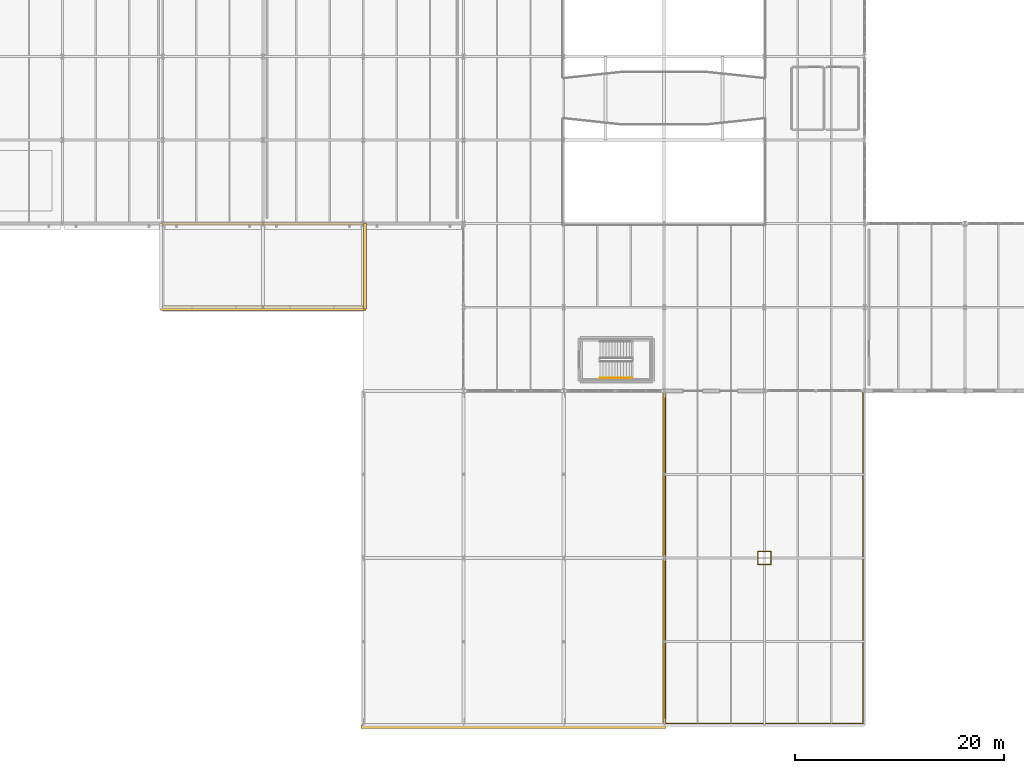
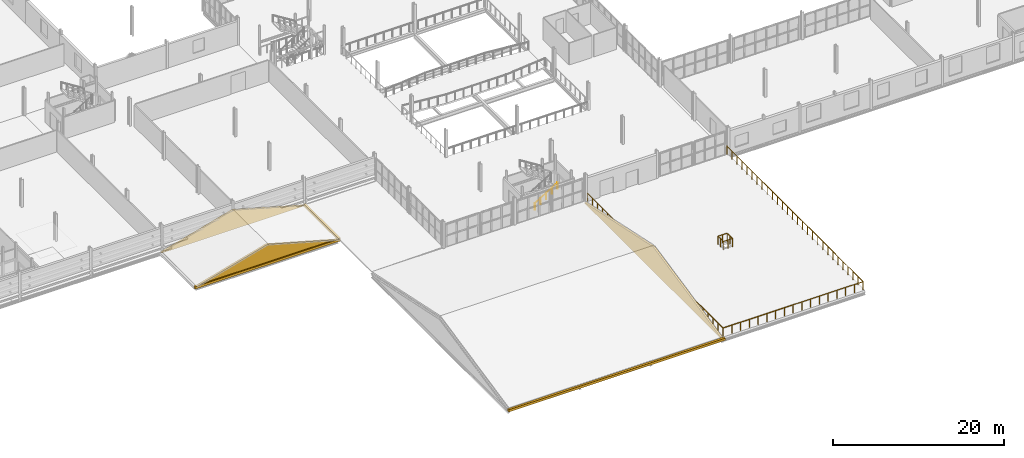
# One storey, part 80 of 85: 6 coverings, 4 railings.
"""IFC4 building model written with IfcOpenShell, lengths in metres."""

from ifc_helpers import new_model, si_unit, direction, frame, frame_2d, origin, origin_2d, place, context, subcontext, project, spatial, polyline, rectangle, circle, outline, extrude, material, layer, layer_set, type_object, element, save


model = new_model("IFC4")

# Units and contexts
model_context = context("Model", 3, precision=1e-05, world=origin(), true_north=direction((0.0, 1.0)))
body_context = subcontext(model_context, "Body", "Model", "MODEL_VIEW")
ifc_project = project(units=[si_unit("LENGTHUNIT", "METRE"), si_unit("AREAUNIT", "SQUARE_METRE"), si_unit("VOLUMEUNIT", "CUBIC_METRE"), si_unit("PLANEANGLEUNIT", "RADIAN"), si_unit("MASSUNIT", "GRAM", prefix="KILO")], contexts=[model_context])

# Site, building, storey
site_placement = place(None, origin())
site = spatial("IfcSite", under=ifc_project, at=site_placement, CompositionType="ELEMENT")
building_placement = place(site_placement, origin())
building = spatial("IfcBuilding", under=site, at=building_placement, Name="Alderhovde Museum", CompositionType="ELEMENT")
storey_placement = place(building_placement, frame((0.0, 0.0, 8.699951171875)))
storey = spatial("IfcBuildingStorey", under=building, at=storey_placement, Name="L02", CompositionType="ELEMENT", Elevation=8.699951171875)

# Coverings
ifc_material_1 = material(Name="Carved Jura Limestone Classical Cornice Moulding", Category="masonry")
ifc_layer_1 = layer(ifc_material_1, 0.280029296875)
ifc_layer_set_1 = layer_set([ifc_layer_1], Name="Carved Jura Limestone Classical Cornice Moulding")
covering_type_1 = type_object("IfcCoveringType", Name="COV-CORNICE-STONE", PredefinedType="MOLDING", material=ifc_layer_set_1)
covering_1_placement = place(storey_placement, frame((47.800048828125, 39.85009765625, -0.349853515625), z_axis=(0.0, 0.0, 1.0), x_axis=(1.0, 0.0, 0.0)))
element("IfcCovering", 1, at=covering_1_placement, inside=storey, type_object=covering_type_1, Name="L02 Classical Beaux-Arts Limestone Cornice 1", PredefinedType="MOLDING", context=body_context, shape_type="SweptSolid", body=[
    extrude(rectangle(XDim=19.599853515625, YDim=0.280029296875, at=frame_2d((9.7998046875, 0.0))), origin(), (0.0, 0.0, 1.0), 0.329833984375),
])
covering_2_placement = place(storey_placement, frame((67.35009765625, 39.85009765625, -0.349853515625), z_axis=(0.0, 0.0, 1.0), x_axis=(0.0, 1.0, 0.0)))
element("IfcCovering", 2, at=covering_2_placement, inside=storey, type_object=covering_type_1, Name="L02 Classical Beaux-Arts Limestone Cornice 3", PredefinedType="MOLDING", context=body_context, shape_type="SweptSolid", body=[
    extrude(rectangle(XDim=8.14990234375, YDim=0.280029296875, at=frame_2d((4.074951171875, 0.0))), origin(), (0.0, 0.0, 1.0), 0.329833984375),
])
covering_3_placement = place(storey_placement, frame((67.0, -0.179931640625, -0.320068359375), z_axis=(0.0, 0.0, 1.0), x_axis=(1.0, 0.0, 0.0)))
element("IfcCovering", 3, at=covering_3_placement, inside=storey, type_object=covering_type_1, Name="L02 Classical Beaux-Arts Limestone Cornice 5", PredefinedType="MOLDING", context=body_context, shape_type="SweptSolid", body=[
    extrude(rectangle(XDim=29.199951171875, YDim=0.280029296875, at=frame_2d((14.60009765625, 0.0))), origin(), (0.0, 0.0, 1.0), 0.320068359375),
])
ifc_material_2 = material(Name="Carved Jura Limestone Gable Tympanum Cladding", Category="masonry")
ifc_layer_2 = layer(ifc_material_2, 0.239990234375)
ifc_layer_set_2 = layer_set([ifc_layer_2], Name="Carved Jura Limestone Gable Tympanum Cladding")
covering_type_2 = type_object("IfcCoveringType", Name="COV-TYMP-STONE", PredefinedType="CLADDING", material=ifc_layer_set_2)
for number, where, z_axis, x_axis, name in (
    (4, (48.0, 40.0, -0.260009765625), (0.0, 0.0, 1.0), (1.0, 0.0, 0.0), "Beaux-Arts Portico Classical Pediment Tympanum 1"),
    (5, (48.0, 48.0, -0.260009765625), (0.0, 0.0, 1.0), (1.0, 0.0, 0.0), "Beaux-Arts Portico Classical Pediment Tympanum 2"),
):
    element("IfcCovering", number, at=place(storey_placement, frame(where, z_axis=z_axis, x_axis=x_axis)), inside=storey, type_object=covering_type_2, Name=name, PredefinedType="CLADDING", context=body_context, shape_type="SweptSolid", body=[
        extrude(outline(polyline([(0.0, 0.0), (19.199951171875, 0.0), (19.199951171875, 0.080078125), (9.60009765625, 2.760009765625), (0.0, 0.080078125), (0.0, 0.0)])), frame((0.0, 0.1201171875, 0.0), z_axis=(0.0, -1.0, 0.0), x_axis=(1.0, 0.0, 0.0)), (0.0, 0.0, 1.0), 0.239990234375),
    ])
covering_4_placement = place(storey_placement, frame((96.0, 0.0, -0.260009765625), z_axis=(0.0, 0.0, 1.0), x_axis=(0.0, 1.0, 0.0)))
element("IfcCovering", 6, at=covering_4_placement, inside=storey, type_object=covering_type_2, Name="Civic Auditorium Beaux-Arts Gable Tympanum 4", PredefinedType="CLADDING", context=body_context, shape_type="SweptSolid", body=[
    extrude(outline(polyline([(0.0, 0.0), (32.0, 0.0), (32.0, 0.10009765625), (16.0, 3.47998046875), (0.0, 0.10009765625), (0.0, 0.0)])), frame((0.0, 0.1201171875, 0.0), z_axis=(0.0, -1.0, 0.0), x_axis=(1.0, 0.0, 0.0)), (0.0, 0.0, 1.0), 0.239990234375),
])

# Railings
ifc_material_3 = material(Name="Bronze-Anodised Steel and Honed Limestone Balustrade", Category="masonry")
railing_type_1 = type_object("IfcRailingType", Name="RL-BALUSTRADE-1200", PredefinedType="BALUSTRADE", material=ifc_material_3)
railing_1_placement = place(storey_placement, frame((96.14990234375, 31.85009765625, 0.0)))
element("IfcRailing", 7, at=railing_1_placement, inside=storey, type_object=railing_type_1, Name="L02 Terrace Balustrade BAL-L02-AUD-PERIM", PredefinedType="BALUSTRADE", context=body_context, shape_type="SweptSolid", body=[
    extrude(circle(Radius=0.030029296875, at=origin_2d()), frame((0.0, 0.0, 1.169921875), z_axis=(0.0, -1.0, 0.0), x_axis=(1.0, 0.0, 0.0)), (0.0, 0.0, 1.0), 31.7001953125),
    extrude(circle(Radius=0.030029296875, at=origin_2d()), frame((0.0, -31.7001953125, 1.169921875), z_axis=(1.0, 0.0, 0.0), x_axis=(0.0, 1.0, 0.0)), (0.0, 0.0, 1.0), 18.900146484375),
    extrude(circle(Radius=0.030029296875, at=origin_2d()), frame((18.900146484375, -31.7001953125, 1.169921875), z_axis=(0.0, 1.0, 0.0), x_axis=(-1.0, 0.0, 0.0)), (0.0, 0.0, 1.0), 31.85009765625),
    extrude(circle(Radius=0.02490234375, at=origin_2d()), origin(), (0.0, 0.0, 1.0), 1.139892578125),
    extrude(circle(Radius=0.02490234375, at=origin_2d()), frame((0.0, -1.174072265625, 0.0)), (0.0, 0.0, 1.0), 1.139892578125),
    extrude(circle(Radius=0.02490234375, at=origin_2d()), frame((0.0, -2.34814453125, 0.0)), (0.0, 0.0, 1.0), 1.139892578125),
    extrude(circle(Radius=0.02490234375, at=origin_2d()), frame((0.0, -3.522216796875, 0.0)), (0.0, 0.0, 1.0), 1.139892578125),
    extrude(circle(Radius=0.02490234375, at=origin_2d()), frame((0.0, -4.6962890625, 0.0)), (0.0, 0.0, 1.0), 1.139892578125),
    extrude(circle(Radius=0.02490234375, at=origin_2d()), frame((0.0, -5.870361328125, 0.0)), (0.0, 0.0, 1.0), 1.139892578125),
    extrude(circle(Radius=0.02490234375, at=origin_2d()), frame((0.0, -7.04443359375, 0.0)), (0.0, 0.0, 1.0), 1.139892578125),
    extrude(circle(Radius=0.02490234375, at=origin_2d()), frame((0.0, -8.218505859375, 0.0)), (0.0, 0.0, 1.0), 1.139892578125),
    extrude(circle(Radius=0.02490234375, at=origin_2d()), frame((0.0, -9.392578125, 0.0)), (0.0, 0.0, 1.0), 1.139892578125),
    extrude(circle(Radius=0.02490234375, at=origin_2d()), frame((0.0, -10.566650390625, 0.0)), (0.0, 0.0, 1.0), 1.139892578125),
    extrude(circle(Radius=0.02490234375, at=origin_2d()), frame((0.0, -11.74072265625, 0.0)), (0.0, 0.0, 1.0), 1.139892578125),
    extrude(circle(Radius=0.02490234375, at=origin_2d()), frame((0.0, -12.914794921875, 0.0)), (0.0, 0.0, 1.0), 1.139892578125),
    extrude(circle(Radius=0.02490234375, at=origin_2d()), frame((0.0, -14.0888671875, 0.0)), (0.0, 0.0, 1.0), 1.139892578125),
    extrude(circle(Radius=0.02490234375, at=origin_2d()), frame((0.0, -15.262939453125, 0.0)), (0.0, 0.0, 1.0), 1.139892578125),
    extrude(circle(Radius=0.02490234375, at=origin_2d()), frame((0.0, -16.437255859375, 0.0)), (0.0, 0.0, 1.0), 1.139892578125),
    extrude(circle(Radius=0.02490234375, at=origin_2d()), frame((0.0, -17.611328125, 0.0)), (0.0, 0.0, 1.0), 1.139892578125),
    extrude(circle(Radius=0.02490234375, at=origin_2d()), frame((0.0, -18.785400390625, 0.0)), (0.0, 0.0, 1.0), 1.139892578125),
    extrude(circle(Radius=0.02490234375, at=origin_2d()), frame((0.0, -19.95947265625, 0.0)), (0.0, 0.0, 1.0), 1.139892578125),
    extrude(circle(Radius=0.02490234375, at=origin_2d()), frame((0.0, -21.133544921875, 0.0)), (0.0, 0.0, 1.0), 1.139892578125),
    extrude(circle(Radius=0.02490234375, at=origin_2d()), frame((0.0, -22.3076171875, 0.0)), (0.0, 0.0, 1.0), 1.139892578125),
    extrude(circle(Radius=0.02490234375, at=origin_2d()), frame((0.0, -23.481689453125, 0.0)), (0.0, 0.0, 1.0), 1.139892578125),
    extrude(circle(Radius=0.02490234375, at=origin_2d()), frame((0.0, -24.65576171875, 0.0)), (0.0, 0.0, 1.0), 1.139892578125),
    extrude(circle(Radius=0.02490234375, at=origin_2d()), frame((0.0, -25.829833984375, 0.0)), (0.0, 0.0, 1.0), 1.139892578125),
    extrude(circle(Radius=0.02490234375, at=origin_2d()), frame((0.0, -27.00390625, 0.0)), (0.0, 0.0, 1.0), 1.139892578125),
    extrude(circle(Radius=0.02490234375, at=origin_2d()), frame((0.0, -28.177978515625, 0.0)), (0.0, 0.0, 1.0), 1.139892578125),
    extrude(circle(Radius=0.02490234375, at=origin_2d()), frame((0.0, -29.35205078125, 0.0)), (0.0, 0.0, 1.0), 1.139892578125),
    extrude(circle(Radius=0.02490234375, at=origin_2d()), frame((0.0, -30.526123046875, 0.0)), (0.0, 0.0, 1.0), 1.139892578125),
    extrude(circle(Radius=0.02490234375, at=origin_2d()), frame((0.0, -31.7001953125, 0.0)), (0.0, 0.0, 1.0), 1.139892578125),
    extrude(circle(Radius=0.02490234375, at=origin_2d()), frame((1.18115234375, -31.7001953125, 0.0)), (0.0, 0.0, 1.0), 1.139892578125),
    extrude(circle(Radius=0.02490234375, at=origin_2d()), frame((2.362548828125, -31.7001953125, 0.0)), (0.0, 0.0, 1.0), 1.139892578125),
    extrude(circle(Radius=0.02490234375, at=origin_2d()), frame((3.543701171875, -31.7001953125, 0.0)), (0.0, 0.0, 1.0), 1.139892578125),
    extrude(circle(Radius=0.02490234375, at=origin_2d()), frame((4.72509765625, -31.7001953125, 0.0)), (0.0, 0.0, 1.0), 1.139892578125),
    extrude(circle(Radius=0.02490234375, at=origin_2d()), frame((5.90625, -31.7001953125, 0.0)), (0.0, 0.0, 1.0), 1.139892578125),
    extrude(circle(Radius=0.02490234375, at=origin_2d()), frame((7.087646484375, -31.7001953125, 0.0)), (0.0, 0.0, 1.0), 1.139892578125),
    extrude(circle(Radius=0.02490234375, at=origin_2d()), frame((8.268798828125, -31.7001953125, 0.0)), (0.0, 0.0, 1.0), 1.139892578125),
    extrude(circle(Radius=0.02490234375, at=origin_2d()), frame((9.4501953125, -31.7001953125, 0.0)), (0.0, 0.0, 1.0), 1.139892578125),
    extrude(circle(Radius=0.02490234375, at=origin_2d()), frame((10.63134765625, -31.7001953125, 0.0)), (0.0, 0.0, 1.0), 1.139892578125),
    extrude(circle(Radius=0.02490234375, at=origin_2d()), frame((11.8125, -31.7001953125, 0.0)), (0.0, 0.0, 1.0), 1.139892578125),
    extrude(circle(Radius=0.02490234375, at=origin_2d()), frame((12.993896484375, -31.7001953125, 0.0)), (0.0, 0.0, 1.0), 1.139892578125),
    extrude(circle(Radius=0.02490234375, at=origin_2d()), frame((14.175048828125, -31.7001953125, 0.0)), (0.0, 0.0, 1.0), 1.139892578125),
    extrude(circle(Radius=0.02490234375, at=origin_2d()), frame((15.3564453125, -31.7001953125, 0.0)), (0.0, 0.0, 1.0), 1.139892578125),
    extrude(circle(Radius=0.02490234375, at=origin_2d()), frame((16.53759765625, -31.7001953125, 0.0)), (0.0, 0.0, 1.0), 1.139892578125),
    extrude(circle(Radius=0.02490234375, at=origin_2d()), frame((17.718994140625, -31.7001953125, 0.0)), (0.0, 0.0, 1.0), 1.139892578125),
    extrude(circle(Radius=0.02490234375, at=origin_2d()), frame((18.900146484375, -31.7001953125, 0.0)), (0.0, 0.0, 1.0), 1.139892578125),
    extrude(circle(Radius=0.02490234375, at=origin_2d()), frame((18.900146484375, -30.5205078125, 0.0)), (0.0, 0.0, 1.0), 1.139892578125),
    extrude(circle(Radius=0.02490234375, at=origin_2d()), frame((18.900146484375, -29.3408203125, 0.0)), (0.0, 0.0, 1.0), 1.139892578125),
    extrude(circle(Radius=0.02490234375, at=origin_2d()), frame((18.900146484375, -28.161376953125, 0.0)), (0.0, 0.0, 1.0), 1.139892578125),
    extrude(circle(Radius=0.02490234375, at=origin_2d()), frame((18.900146484375, -26.981689453125, 0.0)), (0.0, 0.0, 1.0), 1.139892578125),
    extrude(circle(Radius=0.02490234375, at=origin_2d()), frame((18.900146484375, -25.802001953125, 0.0)), (0.0, 0.0, 1.0), 1.139892578125),
    extrude(circle(Radius=0.02490234375, at=origin_2d()), frame((18.900146484375, -24.622314453125, 0.0)), (0.0, 0.0, 1.0), 1.139892578125),
    extrude(circle(Radius=0.02490234375, at=origin_2d()), frame((18.900146484375, -23.44287109375, 0.0)), (0.0, 0.0, 1.0), 1.139892578125),
    extrude(circle(Radius=0.02490234375, at=origin_2d()), frame((18.900146484375, -22.26318359375, 0.0)), (0.0, 0.0, 1.0), 1.139892578125),
    extrude(circle(Radius=0.02490234375, at=origin_2d()), frame((18.900146484375, -21.08349609375, 0.0)), (0.0, 0.0, 1.0), 1.139892578125),
    extrude(circle(Radius=0.02490234375, at=origin_2d()), frame((18.900146484375, -19.90380859375, 0.0)), (0.0, 0.0, 1.0), 1.139892578125),
    extrude(circle(Radius=0.02490234375, at=origin_2d()), frame((18.900146484375, -18.72412109375, 0.0)), (0.0, 0.0, 1.0), 1.139892578125),
    extrude(circle(Radius=0.02490234375, at=origin_2d()), frame((18.900146484375, -17.544677734375, 0.0)), (0.0, 0.0, 1.0), 1.139892578125),
    extrude(circle(Radius=0.02490234375, at=origin_2d()), frame((18.900146484375, -16.364990234375, 0.0)), (0.0, 0.0, 1.0), 1.139892578125),
    extrude(circle(Radius=0.02490234375, at=origin_2d()), frame((18.900146484375, -15.185302734375, 0.0)), (0.0, 0.0, 1.0), 1.139892578125),
    extrude(circle(Radius=0.02490234375, at=origin_2d()), frame((18.900146484375, -14.005615234375, 0.0)), (0.0, 0.0, 1.0), 1.139892578125),
    extrude(circle(Radius=0.02490234375, at=origin_2d()), frame((18.900146484375, -12.826171875, 0.0)), (0.0, 0.0, 1.0), 1.139892578125),
    extrude(circle(Radius=0.02490234375, at=origin_2d()), frame((18.900146484375, -11.646484375, 0.0)), (0.0, 0.0, 1.0), 1.139892578125),
    extrude(circle(Radius=0.02490234375, at=origin_2d()), frame((18.900146484375, -10.466796875, 0.0)), (0.0, 0.0, 1.0), 1.139892578125),
    extrude(circle(Radius=0.02490234375, at=origin_2d()), frame((18.900146484375, -9.287109375, 0.0)), (0.0, 0.0, 1.0), 1.139892578125),
    extrude(circle(Radius=0.02490234375, at=origin_2d()), frame((18.900146484375, -8.107421875, 0.0)), (0.0, 0.0, 1.0), 1.139892578125),
    extrude(circle(Radius=0.02490234375, at=origin_2d()), frame((18.900146484375, -6.927978515625, 0.0)), (0.0, 0.0, 1.0), 1.139892578125),
    extrude(circle(Radius=0.02490234375, at=origin_2d()), frame((18.900146484375, -5.748291015625, 0.0)), (0.0, 0.0, 1.0), 1.139892578125),
    extrude(circle(Radius=0.02490234375, at=origin_2d()), frame((18.900146484375, -4.568603515625, 0.0)), (0.0, 0.0, 1.0), 1.139892578125),
    extrude(circle(Radius=0.02490234375, at=origin_2d()), frame((18.900146484375, -3.388916015625, 0.0)), (0.0, 0.0, 1.0), 1.139892578125),
    extrude(circle(Radius=0.02490234375, at=origin_2d()), frame((18.900146484375, -2.20947265625, 0.0)), (0.0, 0.0, 1.0), 1.139892578125),
    extrude(circle(Radius=0.02490234375, at=origin_2d()), frame((18.900146484375, -1.02978515625, 0.0)), (0.0, 0.0, 1.0), 1.139892578125),
    extrude(circle(Radius=0.02490234375, at=origin_2d()), frame((18.900146484375, 0.14990234375, 0.0)), (0.0, 0.0, 1.0), 1.139892578125),
])
railing_2_placement = place(storey_placement, frame((104.97998046875, 15.3798828125, 0.0)))
element("IfcRailing", 8, at=railing_2_placement, inside=storey, type_object=railing_type_1, Name="L02 Terrace Planter Guard SLAB-TERR-L02-AUD A", PredefinedType="BALUSTRADE", context=body_context, shape_type="SweptSolid", body=[
    extrude(circle(Radius=0.02392578125, at=origin_2d()), frame((0.0, 0.0, 1.17578125), z_axis=(1.0, 0.0, 0.0), x_axis=(0.0, 1.0, 0.0)), (0.0, 0.0, 1.0), 1.239990234375),
    extrude(circle(Radius=0.02392578125, at=origin_2d()), frame((1.239990234375, 0.0, 1.17578125), z_axis=(0.0, 1.0, 0.0), x_axis=(-1.0, 0.0, 0.0)), (0.0, 0.0, 1.0), 1.240234375),
    extrude(circle(Radius=0.02099609375, at=origin_2d()), origin(), (0.0, 0.0, 1.0), 1.15185546875),
    extrude(circle(Radius=0.02099609375, at=origin_2d()), frame((0.6201171875, 0.0, 0.0)), (0.0, 0.0, 1.0), 1.15185546875),
    extrude(circle(Radius=0.02099609375, at=origin_2d()), frame((1.239990234375, 0.0, 0.0)), (0.0, 0.0, 1.0), 1.15185546875),
    extrude(circle(Radius=0.02099609375, at=origin_2d()), frame((1.239990234375, 0.6201171875, 0.0)), (0.0, 0.0, 1.0), 1.15185546875),
    extrude(circle(Radius=0.02099609375, at=origin_2d()), frame((1.239990234375, 1.240234375, 0.0)), (0.0, 0.0, 1.0), 1.15185546875),
])
railing_3_placement = place(storey_placement, frame((106.219970703125, 16.6201171875, 0.0)))
element("IfcRailing", 9, at=railing_3_placement, inside=storey, type_object=railing_type_1, Name="L02 Terrace Planter Guard SLAB-TERR-L02-AUD B", PredefinedType="BALUSTRADE", context=body_context, shape_type="SweptSolid", body=[
    extrude(circle(Radius=0.02392578125, at=origin_2d()), frame((0.0, 0.0, 1.17578125), z_axis=(-1.0, 0.0, 0.0), x_axis=(0.0, -1.0, 0.0)), (0.0, 0.0, 1.0), 1.239990234375),
    extrude(circle(Radius=0.02392578125, at=origin_2d()), frame((-1.239990234375, 0.0, 1.17578125), z_axis=(0.0, -1.0, 0.0), x_axis=(1.0, 0.0, 0.0)), (0.0, 0.0, 1.0), 1.240234375),
    extrude(circle(Radius=0.02099609375, at=origin_2d()), origin(), (0.0, 0.0, 1.0), 1.15185546875),
    extrude(circle(Radius=0.02099609375, at=origin_2d()), frame((-0.6201171875, 0.0, 0.0)), (0.0, 0.0, 1.0), 1.15185546875),
    extrude(circle(Radius=0.02099609375, at=origin_2d()), frame((-1.239990234375, 0.0, 0.0)), (0.0, 0.0, 1.0), 1.15185546875),
    extrude(circle(Radius=0.02099609375, at=origin_2d()), frame((-1.239990234375, -0.6201171875, 0.0)), (0.0, 0.0, 1.0), 1.15185546875),
    extrude(circle(Radius=0.02099609375, at=origin_2d()), frame((-1.239990234375, -1.240234375, 0.0)), (0.0, 0.0, 1.0), 1.15185546875),
])
ifc_material_4 = material(Name="Brushed Stainless Steel Handrail", Category="steel")
railing_type_2 = type_object("IfcRailingType", Name="RL-HANDRAIL-900", PredefinedType="HANDRAIL", material=ifc_material_4)
railing_4_placement = place(storey_placement, frame((89.8798828125, 33.25, 0.175048828125)))
element("IfcRailing", 10, at=railing_4_placement, inside=storey, type_object=railing_type_2, Name="L02 ST3 stair handrail 1", PredefinedType="HANDRAIL", context=body_context, shape_type="SweptSolid", body=[
    extrude(circle(Radius=0.02392578125, at=origin_2d()), frame((0.0, 0.0, 0.8759765625), z_axis=(0.847998304005, 0.0, 0.529998940003), x_axis=(0.0, 1.0, 0.0)), (0.0, 0.0, 1.0), 3.632080078125),
    extrude(circle(Radius=0.02099609375, at=origin_2d()), origin(), (0.0, 0.0, 1.0), 0.851806640625),
    extrude(circle(Radius=0.02099609375, at=origin_2d()), frame((0.77001953125, 0.0, 0.481201171875)), (0.0, 0.0, 1.0), 0.851806640625),
    extrude(circle(Radius=0.02099609375, at=origin_2d()), frame((1.5400390625, 0.0, 0.96240234375)), (0.0, 0.0, 1.0), 0.851806640625),
    extrude(circle(Radius=0.02099609375, at=origin_2d()), frame((2.31005859375, 0.0, 1.44384765625)), (0.0, 0.0, 1.0), 0.851806640625),
    extrude(circle(Radius=0.02099609375, at=origin_2d()), frame((3.080078125, 0.0, 1.925048828125)), (0.0, 0.0, 1.0), 0.851806640625),
])

save(model, "model.ifc")
